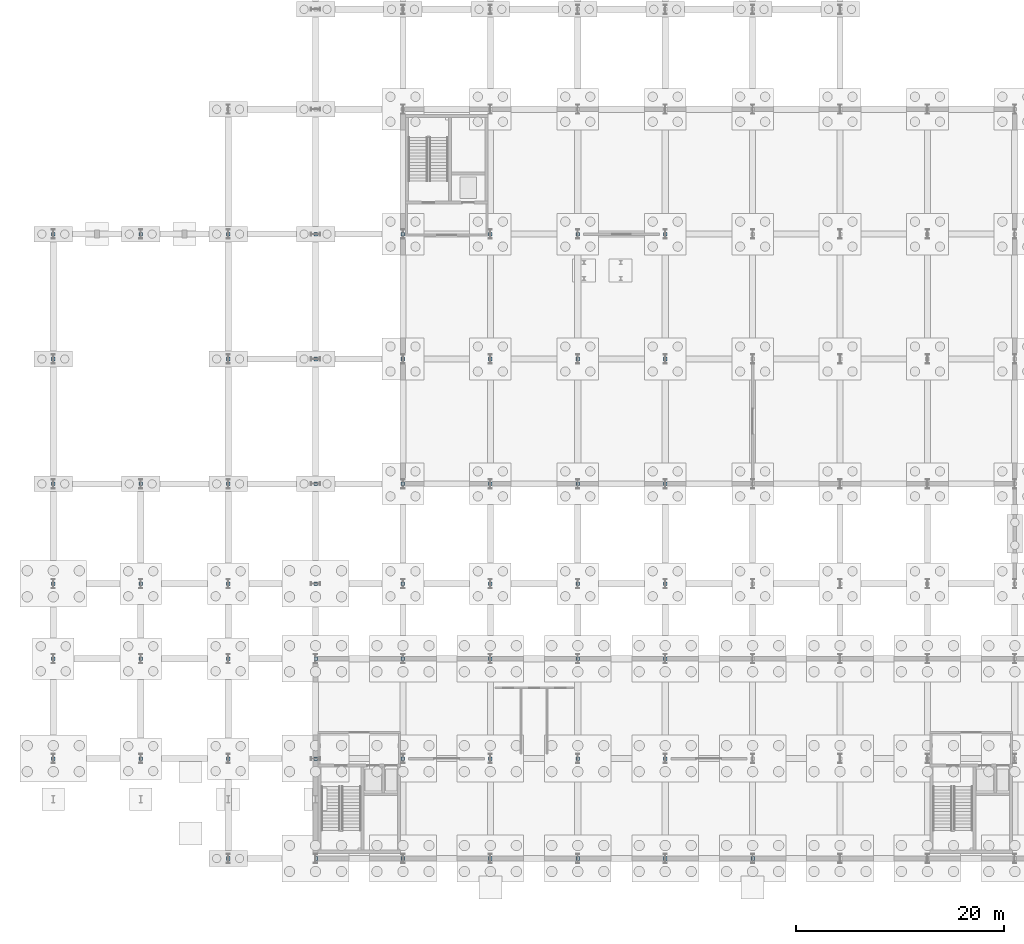
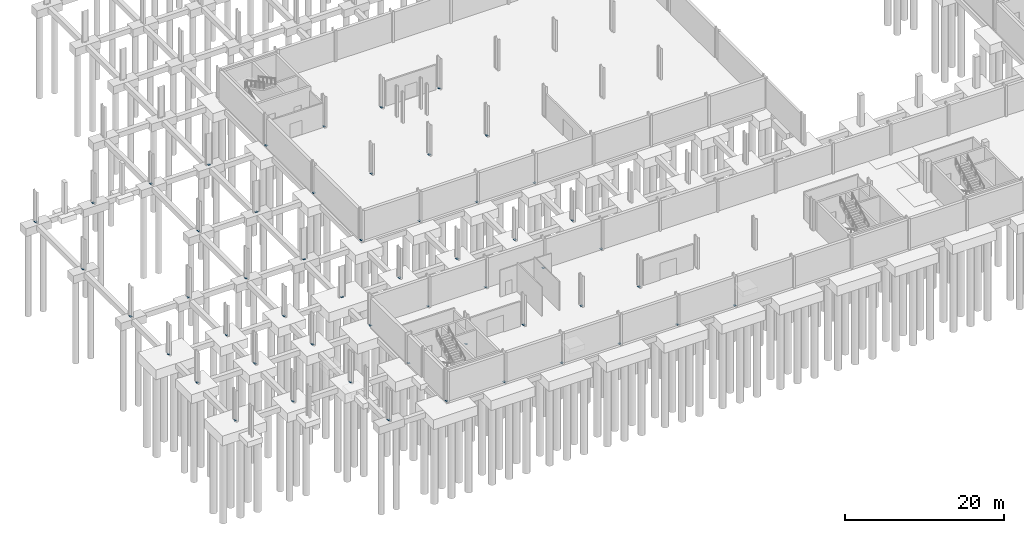
# One storey, part 16 of 29: 54 plates.
"""IFC4 building model written with IfcOpenShell, lengths in metres."""

from ifc_helpers import new_model, si_unit, direction, frame, origin, origin_2d, place, context, subcontext, project, spatial, rectangle, extrude, material, layer, layer_set, type_object, element, save


model = new_model("IFC4")

# Units and contexts
model_context = context("Model", 3, precision=1e-05, world=origin(), true_north=direction((0.0, 1.0)))
body_context = subcontext(model_context, "Body", "Model", "MODEL_VIEW")
ifc_project = project(units=[si_unit("LENGTHUNIT", "METRE"), si_unit("AREAUNIT", "SQUARE_METRE"), si_unit("VOLUMEUNIT", "CUBIC_METRE"), si_unit("PLANEANGLEUNIT", "RADIAN"), si_unit("MASSUNIT", "GRAM", prefix="KILO")], contexts=[model_context])

# Site, building, storey
site_placement = place(None, origin())
site = spatial("IfcSite", under=ifc_project, at=site_placement, CompositionType="ELEMENT")
building_placement = place(site_placement, origin())
building = spatial("IfcBuilding", under=site, at=building_placement, Name="Veltarok Museum of Natural Sciences", CompositionType="ELEMENT")
storey_placement = place(building_placement, frame((0.0, 0.0, -4.800048828125)))
storey = spatial("IfcBuildingStorey", under=building, at=storey_placement, Name="B1", CompositionType="ELEMENT", Elevation=-4.800048828125)

# Plates
ifc_material = material(Name="Steel S355J2", Category="steel")
ifc_layer = layer(ifc_material, 0.02001953125)
ifc_layer_set = layer_set([ifc_layer], Name="Steel S355J2")
plate_type = type_object("IfcPlateType", Name="Hollow End Closure Plate D340x20", PredefinedType="USERDEFINED", material=ifc_layer_set)
for number, where, z_axis, x_axis, name in (
    (1, (6.39990234375, 9.60009765625, 0.0), (0.0, 0.0, 1.0), (1.0, 0.0, 0.0), "Column Base Plate B1 1/B"),
    (2, (6.39990234375, 19.199951171875, 0.0), (0.0, 0.0, 1.0), (1.0, 0.0, 0.0), "Column Base Plate B1 1/C"),
    (3, (6.39990234375, 26.39990234375, 0.0), (0.0, 0.0, 1.0), (1.0, 0.0, 0.0), "Column Base Plate B1 1/D"),
    (4, (6.39990234375, 36.0, 0.0), (0.0, 0.0, 1.0), (1.0, 0.0, 0.0), "Column Base Plate B1 1/E"),
    (5, (6.39990234375, 48.0, 0.0), (0.0, 0.0, 1.0), (1.0, 0.0, 0.0), "Column Base Plate B1 1/F"),
    (6, (6.39990234375, 60.0, 0.0), (0.0, 0.0, 1.0), (1.0, 0.0, 0.0), "Column Base Plate B1 1/G"),
    (7, (14.800048828125, 9.60009765625, 0.0), (0.0, 0.0, 1.0), (1.0, 0.0, 0.0), "Column Base Plate B1 2/B"),
    (8, (14.800048828125, 19.199951171875, 0.0), (0.0, 0.0, 1.0), (1.0, 0.0, 0.0), "Column Base Plate B1 2/C"),
    (9, (14.800048828125, 26.39990234375, 0.0), (0.0, 0.0, 1.0), (1.0, 0.0, 0.0), "Column Base Plate B1 2/D"),
    (10, (14.800048828125, 36.0, 0.0), (0.0, 0.0, 1.0), (1.0, 0.0, 0.0), "Column Base Plate B1 2/E"),
    (11, (14.800048828125, 60.0, 0.0), (0.0, 0.0, 1.0), (1.0, 0.0, 0.0), "Column Base Plate B1 2/G"),
    (12, (23.199951171875, 0.0, 0.0), (0.0, 0.0, 1.0), (1.0, 0.0, 0.0), "Column Base Plate B1 3/A"),
    (13, (23.199951171875, 9.60009765625, 0.0), (0.0, 0.0, 1.0), (1.0, 0.0, 0.0), "Column Base Plate B1 3/B"),
    (14, (23.199951171875, 19.199951171875, 0.0), (0.0, 0.0, 1.0), (1.0, 0.0, 0.0), "Column Base Plate B1 3/C"),
    (15, (23.199951171875, 26.39990234375, 0.0), (0.0, 0.0, 1.0), (1.0, 0.0, 0.0), "Column Base Plate B1 3/D"),
    (16, (23.199951171875, 36.0, 0.0), (0.0, 0.0, 1.0), (1.0, 0.0, 0.0), "Column Base Plate B1 3/E"),
    (17, (23.199951171875, 48.0, 0.0), (0.0, 0.0, 1.0), (1.0, 0.0, 0.0), "Column Base Plate B1 3/F"),
    (18, (23.199951171875, 60.0, 0.0), (0.0, 0.0, 1.0), (1.0, 0.0, 0.0), "Column Base Plate B1 3/G"),
    (19, (31.60009765625, 0.0, 0.0), (0.0, 0.0, 1.0), (1.0, 0.0, 0.0), "Column Base Plate B1 4/A"),
    (20, (31.60009765625, 9.60009765625, 0.0), (0.0, 0.0, 1.0), (1.0, 0.0, 0.0), "Column Base Plate B1 4/B"),
    (21, (31.60009765625, 19.199951171875, 0.0), (0.0, 0.0, 1.0), (1.0, 0.0, 0.0), "Column Base Plate B1 4/C"),
    (22, (31.60009765625, 26.39990234375, 0.0), (0.0, 0.0, 1.0), (1.0, 0.0, 0.0), "Column Base Plate B1 4/D"),
    (23, (31.60009765625, 36.0, 0.0), (0.0, 0.0, 1.0), (1.0, 0.0, 0.0), "Column Base Plate B1 4/E"),
    (24, (31.60009765625, 48.0, 0.0), (0.0, 0.0, 1.0), (1.0, 0.0, 0.0), "Column Base Plate B1 4/F"),
    (25, (31.60009765625, 60.0, 0.0), (0.0, 0.0, 1.0), (1.0, 0.0, 0.0), "Column Base Plate B1 4/G"),
    (26, (40.0, 0.0, 0.0), (0.0, 0.0, 1.0), (1.0, 0.0, 0.0), "Column Base Plate B1 5/A"),
    (27, (40.0, 9.60009765625, 0.0), (0.0, 0.0, 1.0), (1.0, 0.0, 0.0), "Column Base Plate B1 5/B"),
    (28, (40.0, 19.199951171875, 0.0), (0.0, 0.0, 1.0), (1.0, 0.0, 0.0), "Column Base Plate B1 5/C"),
    (29, (40.0, 26.39990234375, 0.0), (0.0, 0.0, 1.0), (1.0, 0.0, 0.0), "Column Base Plate B1 5/D"),
    (30, (40.0, 36.0, 0.0), (0.0, 0.0, 1.0), (1.0, 0.0, 0.0), "Column Base Plate B1 5/E"),
    (31, (40.0, 48.0, 0.0), (0.0, 0.0, 1.0), (1.0, 0.0, 0.0), "Column Base Plate B1 5/F"),
    (32, (40.0, 60.0, 0.0), (0.0, 0.0, 1.0), (1.0, 0.0, 0.0), "Column Base Plate B1 5/G"),
    (33, (48.39990234375, 0.0, 0.0), (0.0, 0.0, 1.0), (1.0, 0.0, 0.0), "Column Base Plate B1 6/A"),
    (34, (48.39990234375, 9.60009765625, 0.0), (0.0, 0.0, 1.0), (1.0, 0.0, 0.0), "Column Base Plate B1 6/B"),
    (35, (48.39990234375, 19.199951171875, 0.0), (0.0, 0.0, 1.0), (1.0, 0.0, 0.0), "Column Base Plate B1 6/C"),
    (36, (48.39990234375, 26.39990234375, 0.0), (0.0, 0.0, 1.0), (1.0, 0.0, 0.0), "Column Base Plate B1 6/D"),
    (37, (48.39990234375, 36.0, 0.0), (0.0, 0.0, 1.0), (1.0, 0.0, 0.0), "Column Base Plate B1 6/E"),
    (38, (48.39990234375, 48.0, 0.0), (0.0, 0.0, 1.0), (1.0, 0.0, 0.0), "Column Base Plate B1 6/F"),
    (39, (48.39990234375, 60.0, 0.0), (0.0, 0.0, 1.0), (1.0, 0.0, 0.0), "Column Base Plate B1 6/G"),
    (40, (56.800048828125, 0.0, 0.0), (0.0, 0.0, 1.0), (1.0, 0.0, 0.0), "Column Base Plate B1 7/A"),
    (41, (56.800048828125, 9.60009765625, 0.0), (0.0, 0.0, 1.0), (1.0, 0.0, 0.0), "Column Base Plate B1 7/B"),
    (42, (56.800048828125, 19.199951171875, 0.0), (0.0, 0.0, 1.0), (1.0, 0.0, 0.0), "Column Base Plate B1 7/C"),
    (43, (56.800048828125, 26.39990234375, 0.0), (0.0, 0.0, 1.0), (1.0, 0.0, 0.0), "Column Base Plate B1 7/D"),
    (44, (56.800048828125, 36.0, 0.0), (0.0, 0.0, 1.0), (1.0, 0.0, 0.0), "Column Base Plate B1 7/E"),
    (45, (56.800048828125, 48.0, 0.0), (0.0, 0.0, 1.0), (1.0, 0.0, 0.0), "Column Base Plate B1 7/F"),
    (46, (56.800048828125, 60.0, 0.0), (0.0, 0.0, 1.0), (1.0, 0.0, 0.0), "Column Base Plate B1 7/G"),
    (47, (65.199951171875, 0.0, 0.0), (0.0, 0.0, 1.0), (1.0, 0.0, 0.0), "Column Base Plate B1 8/A"),
    (48, (65.199951171875, 9.60009765625, 0.0), (0.0, 0.0, 1.0), (1.0, 0.0, 0.0), "Column Base Plate B1 8/B"),
    (49, (65.199951171875, 19.199951171875, 0.0), (0.0, 0.0, 1.0), (1.0, 0.0, 0.0), "Column Base Plate B1 8/C"),
    (50, (65.199951171875, 26.39990234375, 0.0), (0.0, 0.0, 1.0), (1.0, 0.0, 0.0), "Column Base Plate B1 8/D"),
    (51, (65.199951171875, 36.0, 0.0), (0.0, 0.0, 1.0), (1.0, 0.0, 0.0), "Column Base Plate B1 8/E"),
    (52, (65.199951171875, 48.0, 0.0), (0.0, 0.0, 1.0), (1.0, 0.0, 0.0), "Column Base Plate B1 8/F"),
    (53, (65.199951171875, 60.0, 0.0), (0.0, 0.0, 1.0), (1.0, 0.0, 0.0), "Column Base Plate B1 8/G"),
    (54, (73.60009765625, 0.0, 0.0), (0.0, 0.0, 1.0), (1.0, 0.0, 0.0), "Column Base Plate B1 9/A"),
):
    element("IfcPlate", number, at=place(storey_placement, frame(where, z_axis=z_axis, x_axis=x_axis)), inside=storey, type_object=plate_type, Name=name, ObjectType="END CAP PLATE", PredefinedType="USERDEFINED", context=body_context, shape_type="SweptSolid", body=[
        extrude(rectangle(XDim=0.340087890625, YDim=0.340087890625, at=origin_2d()), origin(), (0.0, 0.0, 1.0), 0.02001953125),
    ])

save(model, "model.ifc")
